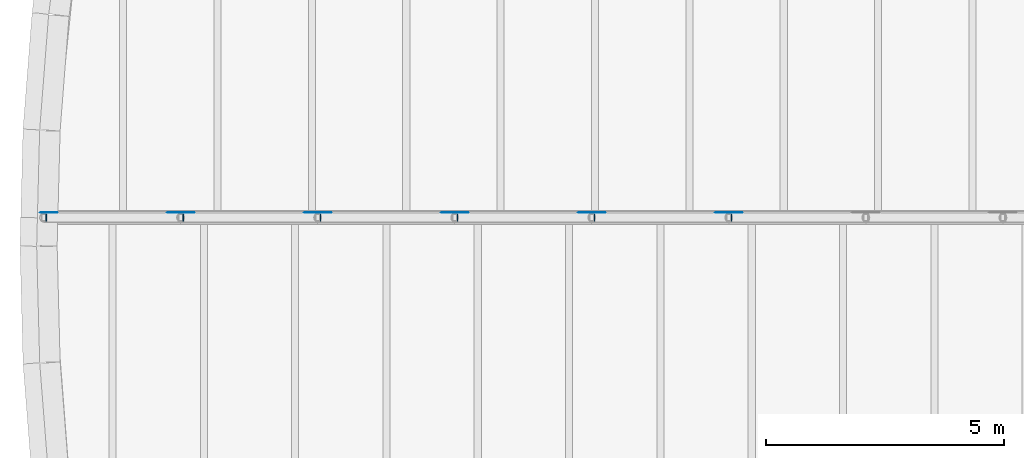
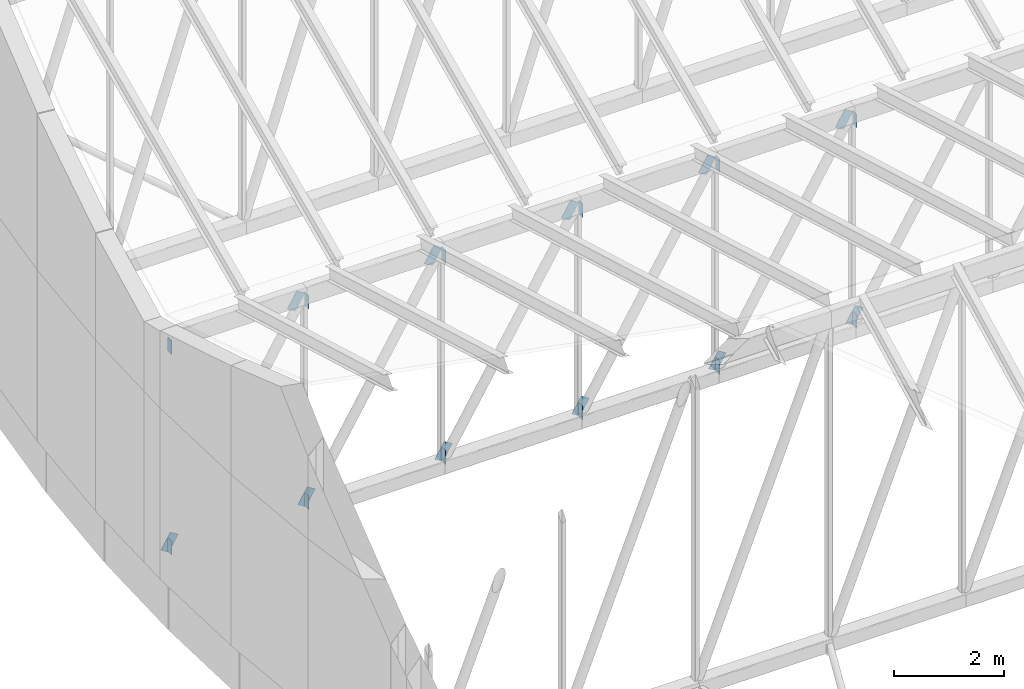
# One storey, part 51 of 68: 23 discrete accessories.
"""IFC4 building model written with IfcOpenShell, lengths in metres."""

from ifc_helpers import new_model, si_unit, direction, frame, origin, origin_2d, place, context, subcontext, project, spatial, rectangle, extrude, material, material_profile, profile_set, type_object, element, save


model = new_model("IFC4")

# Units and contexts
model_context = context("Model", 3, precision=1e-05, world=origin(), true_north=direction((0.0, 1.0)))
body_context = subcontext(model_context, "Body", "Model", "MODEL_VIEW")
ifc_project = project(units=[si_unit("LENGTHUNIT", "METRE"), si_unit("AREAUNIT", "SQUARE_METRE"), si_unit("VOLUMEUNIT", "CUBIC_METRE"), si_unit("PLANEANGLEUNIT", "RADIAN"), si_unit("MASSUNIT", "GRAM", prefix="KILO")], contexts=[model_context])

# Site, building, storey
site_placement = place(None, origin())
site = spatial("IfcSite", under=ifc_project, at=site_placement, CompositionType="ELEMENT")
building_placement = place(site_placement, origin())
building = spatial("IfcBuilding", under=site, at=building_placement, Name="Larchfold Concert Hall", CompositionType="ELEMENT")
storey_placement = place(building_placement, frame((0.0, 0.0, 28.800048828125)))
storey = spatial("IfcBuildingStorey", under=building, at=storey_placement, Name="L06", CompositionType="ELEMENT", Elevation=28.800048828125)

# Discrete accessories
ifc_material_1 = material(Name="Steel S355 galvanised bracket", Category="steel")
ifc_material_profile_1 = material_profile(ifc_material_1, rectangle(XDim=0.011962890625, YDim=0.14990234375, at=origin_2d()))
ifc_profile_set_1 = profile_set([ifc_material_profile_1], Name="Steel S355 galvanised bracket")
discrete_accessory_type_1 = type_object("IfcDiscreteAccessoryType", Name="Gusset plate 12x150", PredefinedType="BRACKET", material=ifc_profile_set_1)
for number, where, z_axis, x_axis, name in (
    (1, (18.17138671875, 85.199951171875, 4.780029296875), (0.0, 0.0, -1.0), (1.0, 0.0, 0.0), "Gusset plate GP0305"),
    (2, (18.17138671875, 85.199951171875, 0.320068359375), (0.0, 0.0, -1.0), (1.0, 0.0, 0.0), "Gusset plate GP0306"),
    (3, (21.052001953125, 85.199951171875, 4.780029296875), (0.0, 0.0, -1.0), (1.0, 0.0, 0.0), "Gusset plate GP0307"),
    (4, (21.052001953125, 85.199951171875, 0.320068359375), (0.0, 0.0, -1.0), (1.0, 0.0, 0.0), "Gusset plate GP0308"),
    (5, (23.932373046875, 85.199951171875, 4.780029296875), (0.0, 0.0, -1.0), (1.0, 0.0, 0.0), "Gusset plate GP0309"),
    (6, (23.932373046875, 85.199951171875, 0.320068359375), (0.0, 0.0, -1.0), (1.0, 0.0, 0.0), "Gusset plate GP0310"),
    (7, (26.81298828125, 85.199951171875, 4.800048828125), (0.0, 0.0, -1.0), (1.0, 0.0, 0.0), "Gusset plate GP0311"),
    (8, (26.81298828125, 85.199951171875, 0.300048828125), (0.0, 0.0, -1.0), (1.0, 0.0, 0.0), "Gusset plate GP0312"),
    (9, (29.693603515625, 85.199951171875, 4.800048828125), (0.0, 0.0, -1.0), (1.0, 0.0, 0.0), "Gusset plate GP0313"),
    (10, (29.693603515625, 85.199951171875, 0.300048828125), (0.0, 0.0, -1.0), (1.0, 0.0, 0.0), "Gusset plate GP0314"),
    (11, (32.57421875, 85.199951171875, 4.780029296875), (0.0, 0.0, -1.0), (1.0, 0.0, 0.0), "Gusset plate GP0315"),
    (12, (32.57421875, 85.199951171875, 0.320068359375), (0.0, 0.0, -1.0), (1.0, 0.0, 0.0), "Gusset plate GP0316"),
):
    element("IfcDiscreteAccessory", number, at=place(storey_placement, frame(where, z_axis=z_axis, x_axis=x_axis)), inside=storey, type_object=discrete_accessory_type_1, Name=name, PredefinedType="BRACKET", context=body_context, shape_type="SweptSolid", body=[
        extrude(rectangle(XDim=0.011962890625, YDim=0.14990234375, at=origin_2d()), origin(), (0.0, 0.0, 1.0), 0.300048828125),
    ])
ifc_material_2 = material(Name="Steel S355 galvanised bracket", Category="steel")
ifc_material_profile_2 = material_profile(ifc_material_2, rectangle(XDim=0.011962890625, YDim=0.199951171875, at=origin_2d()))
ifc_profile_set_2 = profile_set([ifc_material_profile_2], Name="Steel S355 galvanised bracket")
discrete_accessory_type_2 = type_object("IfcDiscreteAccessoryType", Name="Gusset plate 12x200", PredefinedType="BRACKET", material=ifc_profile_set_2)
for number, where, z_axis, x_axis, name in (
    (13, (18.125732421875, 85.302734375, 0.01708984375), (0.514681027104, 0.0, 0.857381735482), (0.0, 1.0, 0.0), "Gusset plate GP0341"),
    (14, (20.786376953125, 85.302734375, 4.45068359375), (0.514681027104, 0.0, 0.857381735482), (0.0, 1.0, 0.0), "Gusset plate GP0342"),
    (15, (21.00634765625, 85.302734375, 0.01708984375), (0.514681027104, 0.0, 0.857381735482), (0.0, 1.0, 0.0), "Gusset plate GP0343"),
    (16, (23.666748046875, 85.302734375, 4.45068359375), (0.514681027104, 0.0, 0.857381735482), (0.0, 1.0, 0.0), "Gusset plate GP0344"),
    (17, (23.88671875, 85.302734375, 0.01708984375), (0.514681027104, 0.0, 0.857381735482), (0.0, 1.0, 0.0), "Gusset plate GP0345"),
    (18, (26.54736328125, 85.302734375, 4.45068359375), (0.514681027104, 0.0, 0.857381735482), (0.0, 1.0, 0.0), "Gusset plate GP0346"),
    (19, (26.767333984375, 85.302734375, 0.01708984375), (0.514681027104, 0.0, 0.857381735482), (0.0, 1.0, 0.0), "Gusset plate GP0347"),
    (20, (29.427978515625, 85.302734375, 4.45068359375), (0.514681027104, 0.0, 0.857381735482), (0.0, 1.0, 0.0), "Gusset plate GP0348"),
    (21, (29.64794921875, 85.302734375, 0.01708984375), (0.514681027104, 0.0, 0.857381735482), (0.0, 1.0, 0.0), "Gusset plate GP0349"),
    (22, (32.30859375, 85.302734375, 4.45068359375), (0.514681027104, 0.0, 0.857381735482), (0.0, 1.0, 0.0), "Gusset plate GP0350"),
    (23, (32.528564453125, 85.302734375, 0.01708984375), (0.514681027104, 0.0, 0.857381735482), (0.0, 1.0, 0.0), "Gusset plate GP0351"),
):
    element("IfcDiscreteAccessory", number, at=place(storey_placement, frame(where, z_axis=z_axis, x_axis=x_axis)), inside=storey, type_object=discrete_accessory_type_2, Name=name, PredefinedType="BRACKET", context=body_context, shape_type="SweptSolid", body=[
        extrude(rectangle(XDim=0.011962890625, YDim=0.199951171875, at=origin_2d()), origin(), (0.0, 0.0, 1.0), 0.387451171875),
    ])

save(model, "model.ifc")
